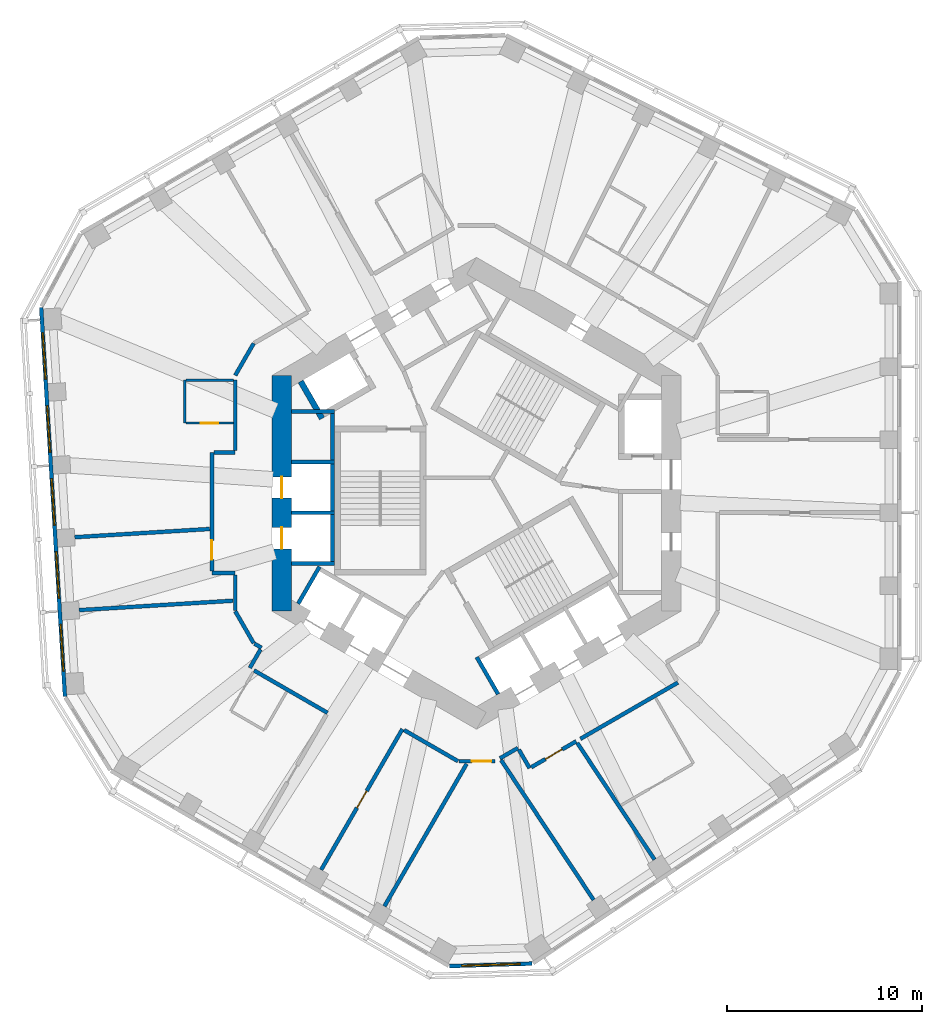
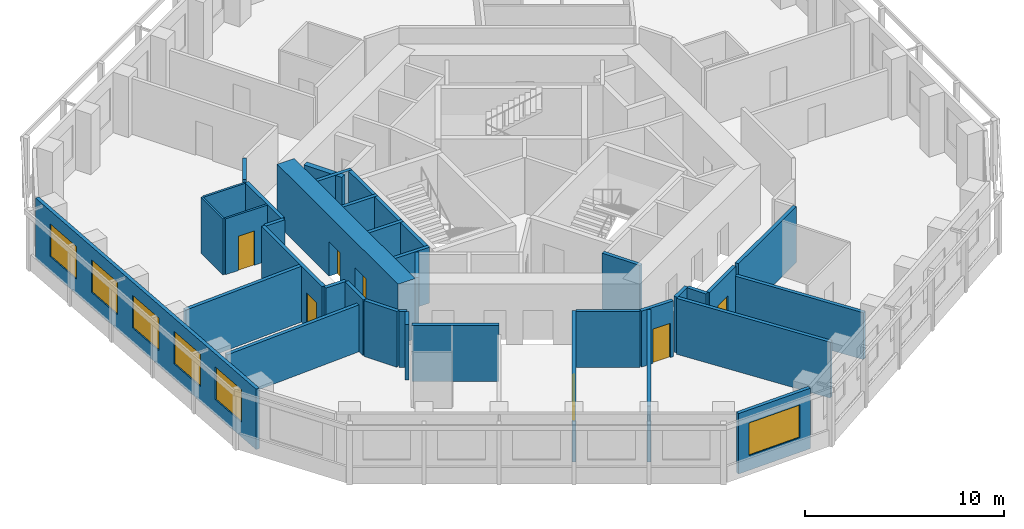
# One storey, part 4 of 11: 36 walls, 7 doors, 6 windows, 13 openings.
"""IFC4 building model written with IfcOpenShell, lengths in metres."""

import ifcopenshell
import ifcopenshell.guid

model = None  # the IFC model being written
_history = None  # IfcOwnerHistory: only IFC2X3 demands one
_inside = {}  # id of a spatial element -> (the spatial element, [elements in it])
_under = {}  # id of a project, library or spatial element -> (it, [spatial elements below it])
_declared = {}  # id of a project -> (the project, [libraries it declares])
_typed = {}  # id of a type object -> (the type object, [elements of that type])
_made_of = {}  # id of a material, layer set ... -> (it, [elements and type objects made of it])


def new_model(schema):
    """Start an empty IFC model of exactly this schema.

    Asked for "IFC4X3", IfcOpenShell would pick the latest addendum, in which some entities
    have other attributes; the version numbers below select the first issue.
    IFC2X3 requires an IfcOwnerHistory on every rooted entity: one is made here for all.
    """
    global model, _history
    if schema == "IFC4X3":
        model = ifcopenshell.file(schema_version=(4, 3, 0, 0))
    else:
        model = ifcopenshell.file(schema=schema)
    _inside.clear()
    _under.clear()
    _declared.clear()
    _typed.clear()
    _made_of.clear()
    _history = None
    if model.schema == "IFC2X3":
        org = make("IfcOrganization", Name="unknown")
        user = make(
            "IfcPersonAndOrganization",
            ThePerson=make("IfcPerson", FamilyName="unknown"),
            TheOrganization=org,
        )
        app = make(
            "IfcApplication",
            ApplicationDeveloper=org,
            Version="unknown",
            ApplicationFullName="unknown",
            ApplicationIdentifier="unknown",
        )
        _history = make(
            "IfcOwnerHistory",
            OwningUser=user,
            OwningApplication=app,
            ChangeAction="ADDED",
            CreationDate=0,
        )
    return model


def make(cls, **values):
    """One entity of the class cls with the attributes given. An attribute that is None is left unset."""
    return model.create_entity(
        cls, **{name: value for name, value in values.items() if value is not None}
    )


def rooted(cls, **values):
    """An entity with a GlobalId (a new one), such as an element, a storey or a relation."""
    return make(cls, GlobalId=ifcopenshell.guid.new(), OwnerHistory=_history, **values)


def si_unit(unit_type, name, prefix=None):
    """IfcSIUnit, for example si_unit("LENGTHUNIT", "METRE", prefix="MILLI")."""
    return make("IfcSIUnit", UnitType=unit_type, Prefix=prefix, Name=name)


def assignment(units):
    """IfcUnitAssignment: the units of a project."""
    return None if units is None else make("IfcUnitAssignment", Units=units)


def point(xyz):
    """IfcCartesianPoint."""
    return None if xyz is None else make("IfcCartesianPoint", Coordinates=xyz)


def direction(xyz):
    """IfcDirection."""
    return None if xyz is None else make("IfcDirection", DirectionRatios=xyz)


def frame(location, z_axis=None, x_axis=None):
    """IfcAxis2Placement3D, a coordinate frame: its origin and axes. An axis left out is left unset."""
    return make(
        "IfcAxis2Placement3D",
        Location=point(location),
        Axis=direction(z_axis),
        RefDirection=direction(x_axis),
    )


def frame_2d(location, x_axis=None):
    """IfcAxis2Placement2D, a coordinate frame in the plane: its origin and x axis."""
    return make(
        "IfcAxis2Placement2D", Location=point(location), RefDirection=direction(x_axis)
    )


def origin():
    """The frame at (0, 0, 0) with its axes left unset."""
    return frame((0.0, 0.0, 0.0))


def place(relative_to, where):
    """IfcLocalPlacement: puts the frame where relative to a parent placement (None: the world)."""
    return make(
        "IfcLocalPlacement", PlacementRelTo=relative_to, RelativePlacement=where
    )


def context(
    kind, dimensions, precision=None, world=None, true_north=None, identifier=None
):
    """IfcGeometricRepresentationContext, for example the 3D "Model" context."""
    return make(
        "IfcGeometricRepresentationContext",
        ContextIdentifier=identifier,
        ContextType=kind,
        CoordinateSpaceDimension=dimensions,
        Precision=precision,
        WorldCoordinateSystem=world,
        TrueNorth=true_north,
    )


def subcontext(parent, identifier, kind, view, scale=None):
    """IfcGeometricRepresentationSubContext, for example "Body" below "Model"."""
    return make(
        "IfcGeometricRepresentationSubContext",
        ContextIdentifier=identifier,
        ContextType=kind,
        ParentContext=parent,
        TargetScale=scale,
        TargetView=view,
    )


def project(units=None, contexts=None):
    """IfcProject with its units and contexts."""
    return rooted(
        "IfcProject",
        Name="project",
        RepresentationContexts=contexts,
        UnitsInContext=assignment(units),
    )


def spatial(cls, under=None, at=None, **own):
    """A site, building, storey or space (cls), placed at a placement, below another one or the project."""
    s = rooted(cls, ObjectPlacement=at, **own)
    if under is not None:
        _under.setdefault(under.id(), (under, []))[1].append(s)
    return s


def profile(cls, at=None, kind="AREA", **sizes):
    """A parametric profile (cls). Its sizes go by their IFC names, for example OverallWidth=200.0."""
    return make(cls, ProfileType=kind, Position=at, **sizes)


def rectangle(**sizes):
    """IfcRectangleProfileDef."""
    return profile("IfcRectangleProfileDef", **sizes)


def extrude(swept, where, along, depth):
    """IfcExtrudedAreaSolid: the profile swept, set in the frame where, extruded along a direction by depth."""
    return make(
        "IfcExtrudedAreaSolid",
        SweptArea=swept,
        Position=where,
        ExtrudedDirection=direction(along),
        Depth=depth,
    )


def shape(context_of_items, identifier, shape_type, items):
    """IfcShapeRepresentation: the items that make up one representation, for example the "Body"."""
    return make(
        "IfcShapeRepresentation",
        ContextOfItems=context_of_items,
        RepresentationIdentifier=identifier,
        RepresentationType=shape_type,
        Items=items,
    )


def material(Name=None, Category=None):
    """IfcMaterial."""
    return make("IfcMaterial", Name=Name, Category=Category)


def layer(
    of_material, thickness, ventilated=None, Name=None, Category=None, Priority=None
):
    """IfcMaterialLayer: one layer of a wall or slab, of a material (None: an air gap)."""
    return make(
        "IfcMaterialLayer",
        Material=of_material,
        LayerThickness=thickness,
        IsVentilated=ventilated,
        Name=Name,
        Category=Category,
        Priority=Priority,
    )


def layer_set(layers, Name=None):
    """IfcMaterialLayerSet."""
    return make("IfcMaterialLayerSet", MaterialLayers=layers, LayerSetName=Name)


def made_of(thing, what):
    """Note that an element or type object is made of a material, layer set ...; save() writes the relation."""
    if what is not None:
        _made_of.setdefault(what.id(), (what, []))[1].append(thing)
    return thing


def type_object(cls, material=None, **own):
    """A type object (cls), such as IfcWallType, which elements share."""
    return made_of(rooted(cls, **own), material)


def element(
    cls,
    number,
    at=None,
    inside=None,
    cuts=None,
    type_object=None,
    material=None,
    context=None,
    identifier="Body",
    shape_type=None,
    held_by="IfcProductDefinitionShape",
    body=None,
    shapes=None,
    **own,
):
    """One element of the class cls, such as IfcWall. Its Tag is "e" and its number.

    at: its placement. inside: the storey or other place that contains it. cuts: it is an
    opening in that element (IfcRelVoidsElement). A single representation is given by context,
    identifier, shape_type and body (its items); several are given by shapes. held_by: the class
    of the entity that holds the representations. save() writes the other relations.
    """
    e = rooted(cls, Tag="e%d" % number, ObjectPlacement=at, **own)
    if body is not None:
        shapes = [shape(context, identifier, shape_type, body)]
    if shapes is not None:
        e.Representation = make(held_by, Representations=shapes)
    if inside is not None:
        _inside.setdefault(inside.id(), (inside, []))[1].append(e)
    if cuts is not None:
        rooted(
            "IfcRelVoidsElement", RelatingBuildingElement=cuts, RelatedOpeningElement=e
        )
    if type_object is not None:
        _typed.setdefault(type_object.id(), (type_object, []))[1].append(e)
    return made_of(e, material)


def fill(opening, filler):
    """IfcRelFillsElement: the door or window that sits in an opening."""
    return rooted(
        "IfcRelFillsElement",
        RelatingOpeningElement=opening,
        RelatedBuildingElement=filler,
    )


def aggregate(whole, parts):
    """IfcRelAggregates: a whole, such as a stair, and the parts it consists of."""
    return rooted("IfcRelAggregates", RelatingObject=whole, RelatedObjects=parts)


def save(model, path):
    """Write the relations noted so far, then the file.

    IfcRelAggregates (storeys below a building ...), IfcRelContainedInSpatialStructure (elements
    in a storey), IfcRelDefinesByType, IfcRelAssociatesMaterial and IfcRelDeclares: one each for
    every whole, place, type object, material and project.
    """
    for whole, parts in _under.values():
        aggregate(whole, parts)
    for where, things in _inside.values():
        rooted(
            "IfcRelContainedInSpatialStructure",
            RelatedElements=things,
            RelatingStructure=where,
        )
    for kind, things in _typed.values():
        rooted("IfcRelDefinesByType", RelatedObjects=things, RelatingType=kind)
    for what, things in _made_of.values():
        rooted("IfcRelAssociatesMaterial", RelatedObjects=things, RelatingMaterial=what)
    for by, libraries in _declared.values():
        rooted("IfcRelDeclares", RelatingContext=by, RelatedDefinitions=libraries)
    model.write(path)


model = new_model("IFC4")

# Units and contexts
model_context = context("Model", 3, precision=1e-05, world=origin(), true_north=direction((0.0, 1.0)))
body_context = subcontext(model_context, "Body", "Model", "MODEL_VIEW")
ifc_project = project(units=[si_unit("LENGTHUNIT", "METRE"), si_unit("AREAUNIT", "SQUARE_METRE"), si_unit("VOLUMEUNIT", "CUBIC_METRE"), si_unit("PLANEANGLEUNIT", "RADIAN"), si_unit("MASSUNIT", "GRAM", prefix="KILO")], contexts=[model_context])

# Site, building, storey
site_placement = place(None, origin())
site = spatial("IfcSite", under=ifc_project, at=site_placement, CompositionType="ELEMENT")
building_placement = place(site_placement, origin())
building = spatial("IfcBuilding", under=site, at=building_placement, Name="Vanh Sen Convention Tower", CompositionType="ELEMENT")
storey_placement = place(building_placement, frame((0.0, 0.0, 187.300048828125)))
storey = spatial("IfcBuildingStorey", under=building, at=storey_placement, Name="L46", CompositionType="ELEMENT", Elevation=187.300048828125)

# Walls
ifc_material_1 = material(Name="Moisture-resistant gypsum board on steel studs", Category="steel")
ifc_layer_1 = layer(ifc_material_1, 0.1201171875)
ifc_layer_set_1 = layer_set([ifc_layer_1], Name="Moisture-resistant gypsum board on steel studs")
wall_type_1 = type_object("IfcWallType", Name="Bathroom partition 120", PredefinedType="PARTITIONING", material=ifc_layer_set_1)
wall_1_placement = place(storey_placement, frame((-15.0, 3.6123046875, 0.0), z_axis=(0.0, 0.0, 1.0), x_axis=(0.0, 1.0, 0.0)))
element("IfcWall", 1, at=wall_1_placement, inside=storey, type_object=wall_type_1, Name="Bathroom partition 120", PredefinedType="PARTITIONING", context=body_context, shape_type="SweptSolid", body=[
    extrude(rectangle(XDim=2.199951171875, YDim=0.1201171875, at=frame_2d((1.10009765625, 0.0))), origin(), (0.0, 0.0, 1.0), 3.419921875),
])
wall_2_placement = place(storey_placement, frame((-14.93994140625, 5.812255859375, 0.0), z_axis=(0.0, 0.0, 1.0), x_axis=(1.0, 0.0, 0.0)))
element("IfcWall", 2, at=wall_2_placement, inside=storey, type_object=wall_type_1, Name="Bathroom partition 120", PredefinedType="PARTITIONING", context=body_context, shape_type="SweptSolid", body=[
    extrude(rectangle(XDim=2.43994140625, YDim=0.1201171875, at=frame_2d((1.219970703125, 0.0))), origin(), (0.0, 0.0, 1.0), 3.419921875),
])

# Wall, opening, door
wall_3_placement = place(storey_placement, frame((-12.5, 3.6123046875, 0.0), z_axis=(0.0, 0.0, 1.0), x_axis=(-1.0, 0.0, 0.0)))
wall_3 = element("IfcWall", 3, at=wall_3_placement, inside=storey, type_object=wall_type_1, Name="Bathroom partition 120", PredefinedType="PARTITIONING", context=body_context, shape_type="SweptSolid", body=[
    extrude(rectangle(XDim=2.43994140625, YDim=0.1201171875, at=frame_2d((1.219970703125, 0.0))), origin(), (0.0, 0.0, 1.0), 3.419921875),
])
opening_1_placement = place(wall_3_placement, frame((0.77001953125, 0.0, 0.0)))
opening_1 = element("IfcOpeningElement", 4, at=opening_1_placement, cuts=wall_3, Name="Opening D44110", PredefinedType="OPENING", context=body_context, shape_type="SweptSolid", body=[
    extrude(rectangle(XDim=0.89990234375, YDim=2.10009765625, at=frame_2d((0.449951171875, 1.050048828125))), frame((0.0, 0.070068359375, 0.0), z_axis=(0.0, -1.0, 0.0), x_axis=(1.0, 0.0, 0.0)), (0.0, 0.0, 1.0), 0.14013671875),
])
ifc_material_2 = material(Name="Laminate door in steel frame", Category="steel")
door_type_1 = type_object("IfcDoorType", Name="Room internal door 900", OperationType="SINGLE_SWING_LEFT", PredefinedType="DOOR", material=ifc_material_2)
door_1_placement = place(opening_1_placement, origin())
door_1 = element("IfcDoor", 5, at=door_1_placement, inside=storey, type_object=door_type_1, Name="Internal room door D44110", OperationType="SINGLE_SWING_LEFT", OverallHeight=2.10009765625, OverallWidth=0.89990234375, PredefinedType="DOOR", context=body_context, shape_type="SweptSolid", body=[
    extrude(rectangle(XDim=0.89990234375, YDim=2.10009765625, at=frame_2d((0.449951171875, 1.050048828125))), frame((0.0, 0.02490234375, 0.0), z_axis=(0.0, -1.0, 0.0), x_axis=(1.0, 0.0, 0.0)), (0.0, 0.0, 1.0), 0.050048828125),
])
fill(opening_1, door_1)

# Wall, openings, doors
ifc_material_3 = material(Name="Concrete C80/95", Category="concrete")
ifc_layer_2 = layer(ifc_material_3, 1.0)
ifc_layer_set_2 = layer_set([ifc_layer_2], Name="Concrete C80/95")
wall_type_2 = type_object("IfcWallType", Name="Core outer wall 1000 C80/95", PredefinedType="SHEAR", material=ifc_layer_set_2)
wall_4_placement = place(storey_placement, frame((-10.0, 6.062255859375, 0.0), z_axis=(0.0, 0.0, 1.0), x_axis=(0.0, -1.0, 0.0)))
wall_4 = element("IfcWall", 6, at=wall_4_placement, inside=storey, type_object=wall_type_2, Name="Core wall face W L46", PredefinedType="SHEAR", context=body_context, shape_type="SweptSolid", body=[
    extrude(rectangle(XDim=12.12451171875, YDim=1.0, at=frame_2d((6.062255859375, 0.0))), origin(), (0.0, 0.0, 1.0), 3.699951171875),
])
opening_2_placement = place(wall_4_placement, frame((5.212158203125, 0.0, 0.0)))
opening_2 = element("IfcOpeningElement", 7, at=opening_2_placement, cuts=wall_4, Name="Opening LD-HR1", PredefinedType="OPENING", context=body_context, shape_type="SweptSolid", body=[
    extrude(rectangle(XDim=1.10009765625, YDim=2.10009765625, at=frame_2d((0.550048828125, 1.050048828125))), frame((0.0, 0.510009765625, 0.0), z_axis=(0.0, -1.0, 0.0), x_axis=(1.0, 0.0, 0.0)), (0.0, 0.0, 1.0), 1.02001953125),
])
opening_3_placement = place(wall_4_placement, frame((7.812255859375, 0.0, 0.0)))
opening_3 = element("IfcOpeningElement", 8, at=opening_3_placement, cuts=wall_4, Name="Opening LD-HR2", PredefinedType="OPENING", context=body_context, shape_type="SweptSolid", body=[
    extrude(rectangle(XDim=1.10009765625, YDim=2.10009765625, at=frame_2d((0.550048828125, 1.050048828125))), frame((0.0, 0.510009765625, 0.0), z_axis=(0.0, -1.0, 0.0), x_axis=(1.0, 0.0, 0.0)), (0.0, 0.0, 1.0), 1.02001953125),
])
ifc_material_4 = material(Name="Stainless steel", Category="steel")
door_type_2 = type_object("IfcDoorType", Name="Lift landing door 1100", OperationType="DOUBLE_DOOR_SLIDING", PredefinedType="DOOR", material=ifc_material_4)
door_2_placement = place(opening_2_placement, origin())
door_2 = element("IfcDoor", 9, at=door_2_placement, inside=storey, type_object=door_type_2, Name="Lift HR1 landing door LD-HR1", OperationType="DOUBLE_DOOR_SLIDING", OverallHeight=2.10009765625, OverallWidth=1.10009765625, PredefinedType="DOOR", context=body_context, shape_type="SweptSolid", body=[
    extrude(rectangle(XDim=1.10009765625, YDim=2.10009765625, at=frame_2d((0.550048828125, 1.050048828125))), frame((0.0, 0.02490234375, 0.0), z_axis=(0.0, -1.0, 0.0), x_axis=(1.0, 0.0, 0.0)), (0.0, 0.0, 1.0), 0.050048828125),
])
fill(opening_2, door_2)
door_3_placement = place(opening_3_placement, origin())
door_3 = element("IfcDoor", 10, at=door_3_placement, inside=storey, type_object=door_type_2, Name="Lift HR2 landing door LD-HR2", OperationType="DOUBLE_DOOR_SLIDING", OverallHeight=2.10009765625, OverallWidth=1.10009765625, PredefinedType="DOOR", context=body_context, shape_type="SweptSolid", body=[
    extrude(rectangle(XDim=1.10009765625, YDim=2.10009765625, at=frame_2d((0.550048828125, 1.050048828125))), frame((0.0, 0.02490234375, 0.0), z_axis=(0.0, -1.0, 0.0), x_axis=(1.0, 0.0, 0.0)), (0.0, 0.0, 1.0), 0.050048828125),
])
fill(opening_3, door_3)

# Wall
ifc_material_5 = material(Name="Gypsum board on steel studs with mineral wool", Category="steel")
ifc_layer_3 = layer(ifc_material_5, 0.199951171875)
ifc_layer_set_3 = layer_set([ifc_layer_3], Name="Gypsum board on steel studs with mineral wool")
wall_type_3 = type_object("IfcWallType", Name="Corridor partition wall 200", PredefinedType="PARTITIONING", material=ifc_layer_set_3)
wall_5_placement = place(storey_placement, frame((-13.60107421875, -4.10107421875, 0.0), z_axis=(0.0, 0.0, 1.0), x_axis=(1.0, 0.0, 0.0)))
element("IfcWall", 11, at=wall_5_placement, inside=storey, type_object=wall_type_3, Name="Corridor partition wall 200", PredefinedType="PARTITIONING", context=body_context, shape_type="SweptSolid", body=[
    extrude(rectangle(XDim=1.201171875, YDim=0.199951171875, at=frame_2d((0.6005859375, 0.0))), origin(), (0.0, 0.0, 1.0), 3.419921875),
])

# Wall, opening, door
wall_6_placement = place(storey_placement, frame((-13.60107421875, 2.10107421875, 0.0), z_axis=(0.0, 0.0, 1.0), x_axis=(0.0, -1.0, 0.0)))
wall_6 = element("IfcWall", 12, at=wall_6_placement, inside=storey, type_object=wall_type_3, Name="Corridor partition wall 200", PredefinedType="PARTITIONING", context=body_context, shape_type="SweptSolid", body=[
    extrude(rectangle(XDim=6.10205078125, YDim=0.199951171875, at=frame_2d((3.051025390625, 0.0))), origin(), (0.0, 0.0, 1.0), 3.419921875),
])
opening_4_placement = place(wall_6_placement, frame((4.514892578125, 0.0, 0.0)))
opening_4 = element("IfcOpeningElement", 13, at=opening_4_placement, cuts=wall_6, Name="Opening D44111", PredefinedType="OPENING", context=body_context, shape_type="SweptSolid", body=[
    extrude(rectangle(XDim=1.0, YDim=2.10009765625, at=frame_2d((0.5, 1.050048828125))), frame((0.0, 0.10986328125, 0.0), z_axis=(0.0, -1.0, 0.0), x_axis=(1.0, 0.0, 0.0)), (0.0, 0.0, 1.0), 0.219970703125),
])
ifc_material_6 = material(Name="Glazed fire door in steel frame", Category="steel")
door_type_3 = type_object("IfcDoorType", Name="Tenant entrance door 1000", OperationType="SINGLE_SWING_LEFT", PredefinedType="DOOR", material=ifc_material_6)
door_4_placement = place(opening_4_placement, origin())
door_4 = element("IfcDoor", 14, at=door_4_placement, inside=storey, type_object=door_type_3, Name="Tenant suite entrance door D44111", OperationType="SINGLE_SWING_LEFT", OverallHeight=2.10009765625, OverallWidth=1.0, PredefinedType="DOOR", context=body_context, shape_type="SweptSolid", body=[
    extrude(rectangle(XDim=1.0, YDim=2.10009765625, at=frame_2d((0.5, 1.050048828125))), frame((0.0, 0.02490234375, 0.0), z_axis=(0.0, -1.0, 0.0), x_axis=(1.0, 0.0, 0.0)), (0.0, 0.0, 1.0), 0.050048828125),
])
fill(opening_4, door_4)

# Walls
wall_7_placement = place(storey_placement, frame((-12.39990234375, -6.062255859375, 0.0), z_axis=(0.0, 0.0, 1.0), x_axis=(0.500022797313, -0.86601224135, 0.0)))
element("IfcWall", 15, at=wall_7_placement, inside=storey, type_object=wall_type_3, Name="Corridor partition wall 200", PredefinedType="PARTITIONING", context=body_context, shape_type="SweptSolid", body=[
    extrude(rectangle(XDim=1.89990234375, YDim=0.199951171875, at=frame_2d((0.949951171875, 0.0))), origin(), (0.0, 0.0, 1.0), 3.419921875),
])
wall_8_placement = place(storey_placement, frame((-12.39990234375, -4.200927734375, 0.0), z_axis=(0.0, 0.0, 1.0), x_axis=(0.0, -1.0, 0.0)))
element("IfcWall", 16, at=wall_8_placement, inside=storey, type_object=wall_type_3, Name="Corridor partition wall 200", PredefinedType="PARTITIONING", context=body_context, shape_type="SweptSolid", body=[
    extrude(rectangle(XDim=1.8212890625, YDim=0.199951171875, at=frame_2d((0.91064453125, 0.0))), origin(), (0.0, 0.0, 1.0), 3.419921875),
])
wall_9_placement = place(storey_placement, frame((-12.39990234375, 2.10107421875, 0.0), z_axis=(0.0, 0.0, 1.0), x_axis=(-1.0, 0.0, 0.0)))
element("IfcWall", 17, at=wall_9_placement, inside=storey, type_object=wall_type_3, Name="Corridor partition wall 200", PredefinedType="PARTITIONING", context=body_context, shape_type="SweptSolid", body=[
    extrude(rectangle(XDim=1.10107421875, YDim=0.199951171875, at=frame_2d((0.550537109375, 0.0))), origin(), (0.0, 0.0, 1.0), 3.419921875),
])
wall_10_placement = place(storey_placement, frame((-12.39990234375, 5.812255859375, 0.0), z_axis=(0.0, 0.0, 1.0), x_axis=(0.0, -1.0, 0.0)))
element("IfcWall", 18, at=wall_10_placement, inside=storey, type_object=wall_type_3, Name="Corridor partition wall 200", PredefinedType="PARTITIONING", context=body_context, shape_type="SweptSolid", body=[
    extrude(rectangle(XDim=3.611328125, YDim=0.199951171875, at=frame_2d((1.8056640625, 0.0))), origin(), (0.0, 0.0, 1.0), 3.419921875),
])
wall_11_placement = place(storey_placement, frame((-11.449951171875, 7.70751953125, 0.0), z_axis=(0.0, 0.0, 1.0), x_axis=(-0.500022797313, -0.86601224135, 0.0)))
element("IfcWall", 19, at=wall_11_placement, inside=storey, type_object=wall_type_3, Name="Corridor partition wall 200", PredefinedType="PARTITIONING", context=body_context, shape_type="SweptSolid", body=[
    extrude(rectangle(XDim=1.89990234375, YDim=0.199951171875, at=frame_2d((0.949951171875, 0.0))), origin(), (0.0, 0.0, 1.0), 3.419921875),
])
wall_12_placement = place(storey_placement, frame((-11.4345703125, -9.103271484375, 0.0), z_axis=(0.0, 0.0, 1.0), x_axis=(0.866007399799, -0.500031182522, 0.0)))
element("IfcWall", 20, at=wall_12_placement, inside=storey, type_object=wall_type_3, Name="Corridor partition wall 200", PredefinedType="PARTITIONING", context=body_context, shape_type="SweptSolid", body=[
    extrude(rectangle(XDim=4.358154296875, YDim=0.199951171875, at=frame_2d((2.17919921875, 0.0))), origin(), (0.0, 0.0, 1.0), 3.419921875),
])
wall_13_placement = place(storey_placement, frame((-11.415283203125, -7.7275390625, 0.0), z_axis=(0.0, 0.0, 1.0), x_axis=(0.865915281873, -0.500190688257, 0.0)))
element("IfcWall", 21, at=wall_13_placement, inside=storey, type_object=wall_type_3, Name="Corridor partition wall 200", PredefinedType="PARTITIONING", context=body_context, shape_type="SweptSolid", body=[
    extrude(rectangle(XDim=0.421142578125, YDim=0.199951171875, at=frame_2d((0.21044921875, 0.0))), origin(), (0.0, 0.0, 1.0), 3.419921875),
])
wall_14_placement = place(storey_placement, frame((-11.1005859375, -8.02490234375, 0.0), z_axis=(0.0, 0.0, 1.0), x_axis=(-0.500074377092, -0.865982457891, 0.0)))
element("IfcWall", 22, at=wall_14_placement, inside=storey, type_object=wall_type_3, Name="Corridor partition wall 200", PredefinedType="PARTITIONING", context=body_context, shape_type="SweptSolid", body=[
    extrude(rectangle(XDim=1.100830078125, YDim=0.199951171875, at=frame_2d((0.55029296875, 0.0))), origin(), (0.0, 0.0, 1.0), 3.419921875),
])

# Wall, opening, door
wall_15_placement = place(storey_placement, frame((-7.983642578125, -19.3505859375, 0.0), z_axis=(0.0, 0.0, 1.0), x_axis=(0.500010139422, 0.866019549707, 0.0)))
wall_15 = element("IfcWall", 23, at=wall_15_placement, inside=storey, type_object=wall_type_3, Name="Corridor partition wall 200", PredefinedType="PARTITIONING", context=body_context, shape_type="SweptSolid", body=[
    extrude(rectangle(XDim=8.349853515625, YDim=0.199951171875, at=frame_2d((4.1748046875, 0.0))), origin(), (0.0, 0.0, 1.0), 3.419921875),
])
opening_5_placement = place(wall_15_placement, frame((3.675048828125, 0.0, 0.0)))
opening_5 = element("IfcOpeningElement", 24, at=opening_5_placement, cuts=wall_15, Name="Opening D44114", PredefinedType="OPENING", context=body_context, shape_type="SweptSolid", body=[
    extrude(rectangle(XDim=1.0, YDim=2.10009765625, at=frame_2d((0.5, 1.050048828125))), frame((0.0, 0.10986328125, 0.0), z_axis=(0.0, -1.0, 0.0), x_axis=(1.0, 0.0, 0.0)), (0.0, 0.0, 1.0), 0.219970703125),
])
door_5_placement = place(opening_5_placement, origin())
door_5 = element("IfcDoor", 25, at=door_5_placement, inside=storey, type_object=door_type_3, Name="Tenant suite entrance door D44114", OperationType="SINGLE_SWING_LEFT", OverallHeight=2.10009765625, OverallWidth=1.0, PredefinedType="DOOR", context=body_context, shape_type="SweptSolid", body=[
    extrude(rectangle(XDim=1.0, YDim=2.10009765625, at=frame_2d((0.5, 1.050048828125))), frame((0.0, 0.02490234375, 0.0), z_axis=(0.0, -1.0, 0.0), x_axis=(1.0, 0.0, 0.0)), (0.0, 0.0, 1.0), 0.050048828125),
])
fill(opening_5, door_5)

# Wall
wall_16_placement = place(storey_placement, frame((-3.721923828125, -12.16943359375, 0.0), z_axis=(0.0, 0.0, 1.0), x_axis=(0.866033163891, -0.499986558861, 0.0)))
element("IfcWall", 26, at=wall_16_placement, inside=storey, type_object=wall_type_3, Name="Corridor partition wall 200", PredefinedType="PARTITIONING", context=body_context, shape_type="SweptSolid", body=[
    extrude(rectangle(XDim=3.20068359375, YDim=0.199951171875, at=frame_2d((1.600341796875, 0.0))), origin(), (0.0, 0.0, 1.0), 3.419921875),
])

# Wall, opening, door
wall_17_placement = place(storey_placement, frame((-0.909912109375, -13.769775390625, 0.0), z_axis=(0.0, 0.0, 1.0), x_axis=(1.0, 0.0, 0.0)))
wall_17 = element("IfcWall", 27, at=wall_17_placement, inside=storey, type_object=wall_type_3, Name="Corridor partition wall 200", PredefinedType="PARTITIONING", context=body_context, shape_type="SweptSolid", body=[
    extrude(rectangle(XDim=1.85986328125, YDim=0.199951171875, at=frame_2d((0.929931640625, 0.0))), origin(), (0.0, 0.0, 1.0), 3.419921875),
])
opening_6_placement = place(wall_17_placement, frame((0.671630859375, 0.0, 0.0)))
opening_6 = element("IfcOpeningElement", 28, at=opening_6_placement, cuts=wall_17, Name="Opening D44115", PredefinedType="OPENING", context=body_context, shape_type="SweptSolid", body=[
    extrude(rectangle(XDim=1.0, YDim=2.10009765625, at=frame_2d((0.5, 1.050048828125))), frame((0.0, 0.10986328125, 0.0), z_axis=(0.0, -1.0, 0.0), x_axis=(1.0, 0.0, 0.0)), (0.0, 0.0, 1.0), 0.219970703125),
])
door_6_placement = place(opening_6_placement, origin())
door_6 = element("IfcDoor", 29, at=door_6_placement, inside=storey, type_object=door_type_3, Name="Tenant suite entrance door D44115", OperationType="SINGLE_SWING_LEFT", OverallHeight=2.10009765625, OverallWidth=1.0, PredefinedType="DOOR", context=body_context, shape_type="SweptSolid", body=[
    extrude(rectangle(XDim=1.0, YDim=2.10009765625, at=frame_2d((0.5, 1.050048828125))), frame((0.0, 0.02490234375, 0.0), z_axis=(0.0, -1.0, 0.0), x_axis=(1.0, 0.0, 0.0)), (0.0, 0.0, 1.0), 0.050048828125),
])
fill(opening_6, door_6)

# Walls
wall_18_placement = place(storey_placement, frame((1.20361328125, -13.623291015625, 0.0), z_axis=(0.0, 0.0, 1.0), x_axis=(0.866040989419, 0.499973003918, 0.0)))
element("IfcWall", 30, at=wall_18_placement, inside=storey, type_object=wall_type_3, Name="Corridor partition wall 200", PredefinedType="PARTITIONING", context=body_context, shape_type="SweptSolid", body=[
    extrude(rectangle(XDim=1.068359375, YDim=0.199951171875, at=frame_2d((0.5341796875, 0.0))), origin(), (0.0, 0.0, 1.0), 3.419921875),
])
wall_19_placement = place(storey_placement, frame((2.1787109375, -13.17578125, 0.0), z_axis=(0.0, 0.0, 1.0), x_axis=(0.499978356969, -0.866037899034, 0.0)))
element("IfcWall", 31, at=wall_19_placement, inside=storey, type_object=wall_type_3, Name="Corridor partition wall 200", PredefinedType="PARTITIONING", context=body_context, shape_type="SweptSolid", body=[
    extrude(rectangle(XDim=1.10107421875, YDim=0.199951171875, at=frame_2d((0.550537109375, 0.0))), origin(), (0.0, 0.0, 1.0), 3.419921875),
])

# Wall, opening, door
wall_20_placement = place(storey_placement, frame((2.81591796875, -14.079345703125, 0.0), z_axis=(0.0, 0.0, 1.0), x_axis=(0.866008705299, 0.50002892151, 0.0)))
wall_20 = element("IfcWall", 32, at=wall_20_placement, inside=storey, type_object=wall_type_3, Name="Corridor partition wall 200", PredefinedType="PARTITIONING", context=body_context, shape_type="SweptSolid", body=[
    extrude(rectangle(XDim=2.666259765625, YDim=0.199951171875, at=frame_2d((1.3330078125, 0.0))), origin(), (0.0, 0.0, 1.0), 3.419921875),
])
opening_7_placement = place(wall_20_placement, frame((0.833251953125, 0.0, 0.0)))
opening_7 = element("IfcOpeningElement", 33, at=opening_7_placement, cuts=wall_20, Name="Opening D44116", PredefinedType="OPENING", context=body_context, shape_type="SweptSolid", body=[
    extrude(rectangle(XDim=1.0, YDim=2.10009765625, at=frame_2d((0.5, 1.050048828125))), frame((0.0, 0.10986328125, 0.0), z_axis=(0.0, -1.0, 0.0), x_axis=(1.0, 0.0, 0.0)), (0.0, 0.0, 1.0), 0.219970703125),
])
door_7_placement = place(opening_7_placement, origin())
door_7 = element("IfcDoor", 34, at=door_7_placement, inside=storey, type_object=door_type_3, Name="Tenant suite entrance door D44116", OperationType="SINGLE_SWING_LEFT", OverallHeight=2.10009765625, OverallWidth=1.0, PredefinedType="DOOR", context=body_context, shape_type="SweptSolid", body=[
    extrude(rectangle(XDim=1.0, YDim=2.10009765625, at=frame_2d((0.5, 1.050048828125))), frame((0.0, 0.02490234375, 0.0), z_axis=(0.0, -1.0, 0.0), x_axis=(1.0, 0.0, 0.0)), (0.0, 0.0, 1.0), 0.050048828125),
])
fill(opening_7, door_7)

# Wall
wall_21_placement = place(storey_placement, frame((5.341552734375, -12.62109375, 0.0), z_axis=(0.0, 0.0, 1.0), x_axis=(0.866024665123, 0.500001279396, 0.0)))
element("IfcWall", 35, at=wall_21_placement, inside=storey, type_object=wall_type_3, Name="Corridor partition wall 200", PredefinedType="PARTITIONING", context=body_context, shape_type="SweptSolid", body=[
    extrude(rectangle(XDim=5.78564453125, YDim=0.199951171875, at=frame_2d((2.892822265625, 0.0))), origin(), (0.0, 0.0, 1.0), 3.419921875),
])

# Wall, openings, windows
ifc_material_7 = material(Name="Insulated lightweight infill wall")
ifc_layer_4 = layer(ifc_material_7, 0.199951171875)
ifc_layer_set_4 = layer_set([ifc_layer_4], Name="Insulated lightweight infill wall")
wall_type_4 = type_object("IfcWallType", Name="External wall 200", PredefinedType="STANDARD", material=ifc_layer_set_4)
wall_22_placement = place(storey_placement, frame((-22.375, 9.55712890625, 0.0), z_axis=(0.0, 0.0, 1.0), x_axis=(0.061036015339, -0.998135564356, 0.0)))
wall_22 = element("IfcWall", 36, at=wall_22_placement, inside=storey, type_object=wall_type_4, Name="External wall W L46", PredefinedType="STANDARD", context=body_context, shape_type="SweptSolid", body=[
    extrude(rectangle(XDim=20.043701171875, YDim=0.199951171875, at=frame_2d((10.02197265625, 0.0))), origin(), (0.0, 0.0, 1.0), 3.699951171875),
])
opening_8_placement = place(wall_22_placement, frame((1.312744140625, 0.0, 0.89990234375)))
opening_8 = element("IfcOpeningElement", 37, at=opening_8_placement, cuts=wall_22, Name="Opening WO1-W1", PredefinedType="OPENING", context=body_context, shape_type="SweptSolid", body=[
    extrude(rectangle(XDim=2.39990234375, YDim=2.0, at=frame_2d((1.199951171875, 1.0))), frame((0.0, 0.10986328125, 0.0), z_axis=(0.0, -1.0, 0.0), x_axis=(1.0, 0.0, 0.0)), (0.0, 0.0, 1.0), 0.219970703125),
])
opening_9_placement = place(wall_22_placement, frame((5.06689453125, 0.0, 0.89990234375)))
opening_9 = element("IfcOpeningElement", 38, at=opening_9_placement, cuts=wall_22, Name="Opening WO1-W2", PredefinedType="OPENING", context=body_context, shape_type="SweptSolid", body=[
    extrude(rectangle(XDim=2.39990234375, YDim=2.0, at=frame_2d((1.199951171875, 1.0))), frame((0.0, 0.10986328125, 0.0), z_axis=(0.0, -1.0, 0.0), x_axis=(1.0, 0.0, 0.0)), (0.0, 0.0, 1.0), 0.219970703125),
])
opening_10_placement = place(wall_22_placement, frame((8.821044921875, 0.0, 0.89990234375)))
opening_10 = element("IfcOpeningElement", 39, at=opening_10_placement, cuts=wall_22, Name="Opening WO1-W3", PredefinedType="OPENING", context=body_context, shape_type="SweptSolid", body=[
    extrude(rectangle(XDim=2.39990234375, YDim=2.0, at=frame_2d((1.199951171875, 1.0))), frame((0.0, 0.10986328125, 0.0), z_axis=(0.0, -1.0, 0.0), x_axis=(1.0, 0.0, 0.0)), (0.0, 0.0, 1.0), 0.219970703125),
])
opening_11_placement = place(wall_22_placement, frame((12.5751953125, 0.0, 0.89990234375)))
opening_11 = element("IfcOpeningElement", 40, at=opening_11_placement, cuts=wall_22, Name="Opening WO1-W4", PredefinedType="OPENING", context=body_context, shape_type="SweptSolid", body=[
    extrude(rectangle(XDim=2.39990234375, YDim=2.0, at=frame_2d((1.199951171875, 1.0))), frame((0.0, 0.10986328125, 0.0), z_axis=(0.0, -1.0, 0.0), x_axis=(1.0, 0.0, 0.0)), (0.0, 0.0, 1.0), 0.219970703125),
])
opening_12_placement = place(wall_22_placement, frame((16.329345703125, 0.0, 0.89990234375)))
opening_12 = element("IfcOpeningElement", 41, at=opening_12_placement, cuts=wall_22, Name="Opening WO1-W5", PredefinedType="OPENING", context=body_context, shape_type="SweptSolid", body=[
    extrude(rectangle(XDim=2.39990234375, YDim=2.0, at=frame_2d((1.199951171875, 1.0))), frame((0.0, 0.10986328125, 0.0), z_axis=(0.0, -1.0, 0.0), x_axis=(1.0, 0.0, 0.0)), (0.0, 0.0, 1.0), 0.219970703125),
])
ifc_material_8 = material(Name="Aluminium frame with clear low-emissivity glass", Category="aluminium")
window_type_1 = type_object("IfcWindowType", Name="Office window 2400 x 2000", PartitioningType="SINGLE_PANEL", PredefinedType="WINDOW", material=ifc_material_8)
window_1_placement = place(opening_8_placement, origin())
window_1 = element("IfcWindow", 42, at=window_1_placement, inside=storey, type_object=window_type_1, Name="Window WO1-W1", OverallHeight=2.0, OverallWidth=2.39990234375, PartitioningType="SINGLE_PANEL", PredefinedType="WINDOW", context=body_context, shape_type="SweptSolid", body=[
    extrude(rectangle(XDim=2.39990234375, YDim=2.0, at=frame_2d((1.199951171875, 1.0))), frame((0.0, 0.030029296875, 0.0), z_axis=(0.0, -1.0, 0.0), x_axis=(1.0, 0.0, 0.0)), (0.0, 0.0, 1.0), 0.06005859375),
])
fill(opening_8, window_1)
window_2_placement = place(opening_9_placement, origin())
window_2 = element("IfcWindow", 43, at=window_2_placement, inside=storey, type_object=window_type_1, Name="Window WO1-W2", OverallHeight=2.0, OverallWidth=2.39990234375, PartitioningType="SINGLE_PANEL", PredefinedType="WINDOW", context=body_context, shape_type="SweptSolid", body=[
    extrude(rectangle(XDim=2.39990234375, YDim=2.0, at=frame_2d((1.199951171875, 1.0))), frame((0.0, 0.030029296875, 0.0), z_axis=(0.0, -1.0, 0.0), x_axis=(1.0, 0.0, 0.0)), (0.0, 0.0, 1.0), 0.06005859375),
])
fill(opening_9, window_2)
window_3_placement = place(opening_10_placement, origin())
window_3 = element("IfcWindow", 44, at=window_3_placement, inside=storey, type_object=window_type_1, Name="Window WO1-W3", OverallHeight=2.0, OverallWidth=2.39990234375, PartitioningType="SINGLE_PANEL", PredefinedType="WINDOW", context=body_context, shape_type="SweptSolid", body=[
    extrude(rectangle(XDim=2.39990234375, YDim=2.0, at=frame_2d((1.199951171875, 1.0))), frame((0.0, 0.030029296875, 0.0), z_axis=(0.0, -1.0, 0.0), x_axis=(1.0, 0.0, 0.0)), (0.0, 0.0, 1.0), 0.06005859375),
])
fill(opening_10, window_3)
window_4_placement = place(opening_11_placement, origin())
window_4 = element("IfcWindow", 45, at=window_4_placement, inside=storey, type_object=window_type_1, Name="Window WO1-W4", OverallHeight=2.0, OverallWidth=2.39990234375, PartitioningType="SINGLE_PANEL", PredefinedType="WINDOW", context=body_context, shape_type="SweptSolid", body=[
    extrude(rectangle(XDim=2.39990234375, YDim=2.0, at=frame_2d((1.199951171875, 1.0))), frame((0.0, 0.030029296875, 0.0), z_axis=(0.0, -1.0, 0.0), x_axis=(1.0, 0.0, 0.0)), (0.0, 0.0, 1.0), 0.06005859375),
])
fill(opening_11, window_4)
window_5_placement = place(opening_12_placement, origin())
window_5 = element("IfcWindow", 46, at=window_5_placement, inside=storey, type_object=window_type_1, Name="Window WO1-W5", OverallHeight=2.0, OverallWidth=2.39990234375, PartitioningType="SINGLE_PANEL", PredefinedType="WINDOW", context=body_context, shape_type="SweptSolid", body=[
    extrude(rectangle(XDim=2.39990234375, YDim=2.0, at=frame_2d((1.199951171875, 1.0))), frame((0.0, 0.030029296875, 0.0), z_axis=(0.0, -1.0, 0.0), x_axis=(1.0, 0.0, 0.0)), (0.0, 0.0, 1.0), 0.06005859375),
])
fill(opening_12, window_5)

# Wall, opening, window
wall_23_placement = place(storey_placement, frame((-1.377685546875, -24.302001953125, 0.0), z_axis=(0.0, 0.0, 1.0), x_axis=(0.999533857267, 0.030529791629, 0.0)))
wall_23 = element("IfcWall", 47, at=wall_23_placement, inside=storey, type_object=wall_type_4, Name="External wall CH5 L46", PredefinedType="STANDARD", context=body_context, shape_type="SweptSolid", body=[
    extrude(rectangle(XDim=4.23828125, YDim=0.199951171875, at=frame_2d((2.119140625, 0.0))), origin(), (0.0, 0.0, 1.0), 3.699951171875),
])
opening_13_placement = place(wall_23_placement, frame((0.619140625, 0.0, 0.89990234375)))
opening_13 = element("IfcOpeningElement", 48, at=opening_13_placement, cuts=wall_23, Name="Opening WO2-CH51", PredefinedType="OPENING", context=body_context, shape_type="SweptSolid", body=[
    extrude(rectangle(XDim=3.0, YDim=2.0, at=frame_2d((1.5, 1.0))), frame((0.0, 0.10986328125, 0.0), z_axis=(0.0, -1.0, 0.0), x_axis=(1.0, 0.0, 0.0)), (0.0, 0.0, 1.0), 0.219970703125),
])
window_type_2 = type_object("IfcWindowType", Name="Office window 3000 x 2000", PartitioningType="SINGLE_PANEL", PredefinedType="WINDOW", material=ifc_material_8)
window_6_placement = place(opening_13_placement, origin())
window_6 = element("IfcWindow", 49, at=window_6_placement, inside=storey, type_object=window_type_2, Name="Window WO2-CH51", OverallHeight=2.0, OverallWidth=3.0, PartitioningType="SINGLE_PANEL", PredefinedType="WINDOW", context=body_context, shape_type="SweptSolid", body=[
    extrude(rectangle(XDim=3.0, YDim=2.0, at=frame_2d((1.5, 1.0))), frame((0.0, 0.030029296875, 0.0), z_axis=(0.0, -1.0, 0.0), x_axis=(1.0, 0.0, 0.0)), (0.0, 0.0, 1.0), 0.06005859375),
])
fill(opening_13, window_6)

# Walls
ifc_material_9 = material(Name="Concrete C60/75", Category="concrete")
ifc_layer_5 = layer(ifc_material_9, 0.300048828125)
ifc_layer_set_5 = layer_set([ifc_layer_5], Name="Concrete C60/75")
wall_type_5 = type_object("IfcWallType", Name="Fire-fighting lift shaft wall 300", PredefinedType="SHEAR", material=ifc_layer_set_5)
wall_24_placement = place(storey_placement, frame((-7.936767578125, 3.846923828125, 0.0), z_axis=(0.0, 0.0, 1.0), x_axis=(-0.50002983664, 0.866008176907, 0.0)))
element("IfcWall", 50, at=wall_24_placement, inside=storey, type_object=wall_type_5, Name="Fire-fighting lift shaft wall L46", PredefinedType="SHEAR", context=body_context, shape_type="SweptSolid", body=[
    extrude(rectangle(XDim=2.199951171875, YDim=0.300048828125, at=frame_2d((1.10009765625, 0.0))), origin(), (0.0, 0.0, 1.0), 3.419921875),
])
ifc_material_10 = material(Name="Concrete C40/50", Category="concrete")
ifc_layer_6 = layer(ifc_material_10, 0.199951171875)
ifc_layer_set_6 = layer_set([ifc_layer_6], Name="Concrete C40/50")
wall_type_6 = type_object("IfcWallType", Name="Lift shaft wall 200", PredefinedType="PARTITIONING", material=ifc_layer_set_6)
wall_25_placement = place(storey_placement, frame((-7.39990234375, 4.300048828125, 0.0), z_axis=(0.0, 0.0, 1.0), x_axis=(0.0, -1.0, 0.0)))
element("IfcWall", 51, at=wall_25_placement, inside=storey, type_object=wall_type_6, Name="Lift shaft wall L46", PredefinedType="PARTITIONING", context=body_context, shape_type="SweptSolid", body=[
    extrude(rectangle(XDim=8.0, YDim=0.199951171875, at=frame_2d((4.0, 0.0))), origin(), (0.0, 0.0, 1.0), 3.419921875),
])
for number, where, z_axis, x_axis, name in (
    (52, (-7.300048828125, 4.199951171875, 0.0), (0.0, 0.0, 1.0), (-1.0, 0.0, 0.0), "Lift shaft wall L46"),
    (53, (-7.300048828125, 1.60009765625, 0.0), (0.0, 0.0, 1.0), (-1.0, 0.0, 0.0), "Lift shaft wall L46"),
    (54, (-7.300048828125, -1.0, 0.0), (0.0, 0.0, 1.0), (-1.0, 0.0, 0.0), "Lift shaft wall L46"),
    (55, (-7.300048828125, -3.60009765625, 0.0), (0.0, 0.0, 1.0), (-1.0, 0.0, 0.0), "Lift shaft wall L46"),
    (56, (-8.066650390625, -3.77197265625, 0.0), (0.0, 0.0, 1.0), (-0.50002983664, -0.866008176907, 0.0), "Lift shaft wall L46"),
    (57, (0.0126953125, -8.422119140625, 0.0), (0.0, 0.0, 1.0), (0.500077893725, -0.86598042715, 0.0), "Lift shaft wall L46"),
):
    element("IfcWall", number, at=place(storey_placement, frame(where, z_axis=z_axis, x_axis=x_axis)), inside=storey, type_object=wall_type_6, Name=name, PredefinedType="PARTITIONING", context=body_context, shape_type="SweptSolid", body=[
        extrude(rectangle(XDim=2.199951171875, YDim=0.199951171875, at=frame_2d((1.10009765625, 0.0))), origin(), (0.0, 0.0, 1.0), 3.419921875),
    ])
ifc_layer_7 = layer(ifc_material_5, 0.199951171875)
ifc_layer_set_7 = layer_set([ifc_layer_7], Name="Gypsum board on steel studs with mineral wool")
wall_type_7 = type_object("IfcWallType", Name="Tenant suite wall 200", PredefinedType="PARTITIONING", material=ifc_layer_set_7)
wall_26_placement = place(storey_placement, frame((-20.650634765625, -2.2578125, 0.0), z_axis=(0.0, 0.0, 1.0), x_axis=(0.998133960965, 0.061062230286, 0.0)))
element("IfcWall", 58, at=wall_26_placement, inside=storey, type_object=wall_type_7, Name="Tenant suite wall 200", PredefinedType="PARTITIONING", context=body_context, shape_type="SweptSolid", body=[
    extrude(rectangle(XDim=6.952880859375, YDim=0.199951171875, at=frame_2d((3.4765625, 0.0))), origin(), (0.0, 0.0, 1.0), 3.419921875),
])
wall_27_placement = place(storey_placement, frame((-20.42138671875, -6.0048828125, 0.0), z_axis=(0.0, 0.0, 1.0), x_axis=(0.998134865741, 0.061047438866, 0.0)))
element("IfcWall", 59, at=wall_27_placement, inside=storey, type_object=wall_type_7, Name="Tenant suite wall 200", PredefinedType="PARTITIONING", context=body_context, shape_type="SweptSolid", body=[
    extrude(rectangle(XDim=7.926513671875, YDim=0.199951171875, at=frame_2d((3.96337890625, 0.0))), origin(), (0.0, 0.0, 1.0), 2.869873046875),
])
wall_28_placement = place(storey_placement, frame((-4.732421875, -21.227783203125, 0.0), z_axis=(0.0, 0.0, 1.0), x_axis=(0.500000843414, 0.866024916838, 0.0)))
element("IfcWall", 60, at=wall_28_placement, inside=storey, type_object=wall_type_7, Name="Tenant suite wall 200", PredefinedType="PARTITIONING", context=body_context, shape_type="SweptSolid", body=[
    extrude(rectangle(XDim=8.45166015625, YDim=0.199951171875, at=frame_2d((4.225830078125, 0.0))), origin(), (0.0, 0.0, 1.0), 3.419921875),
])
wall_29_placement = place(storey_placement, frame((6.01953125, -20.899169921875, 0.0), z_axis=(0.0, 0.0, 1.0), x_axis=(-0.551943990108, 0.833881185651, 0.0)))
element("IfcWall", 61, at=wall_29_placement, inside=storey, type_object=wall_type_7, Name="Tenant suite wall 200", PredefinedType="PARTITIONING", context=body_context, shape_type="SweptSolid", body=[
    extrude(rectangle(XDim=8.615234375, YDim=0.199951171875, at=frame_2d((4.3076171875, 0.0))), origin(), (0.0, 0.0, 1.0), 3.419921875),
])
wall_30_placement = place(storey_placement, frame((9.14990234375, -18.8271484375, 0.0), z_axis=(0.0, 0.0, 1.0), x_axis=(-0.551939801345, 0.833883958169, 0.0)))
element("IfcWall", 62, at=wall_30_placement, inside=storey, type_object=wall_type_7, Name="Tenant suite wall 200", PredefinedType="PARTITIONING", context=body_context, shape_type="SweptSolid", body=[
    extrude(rectangle(XDim=7.1923828125, YDim=0.199951171875, at=frame_2d((3.59619140625, 0.0))), origin(), (0.0, 0.0, 1.0), 2.869873046875),
])

save(model, "model.ifc")
